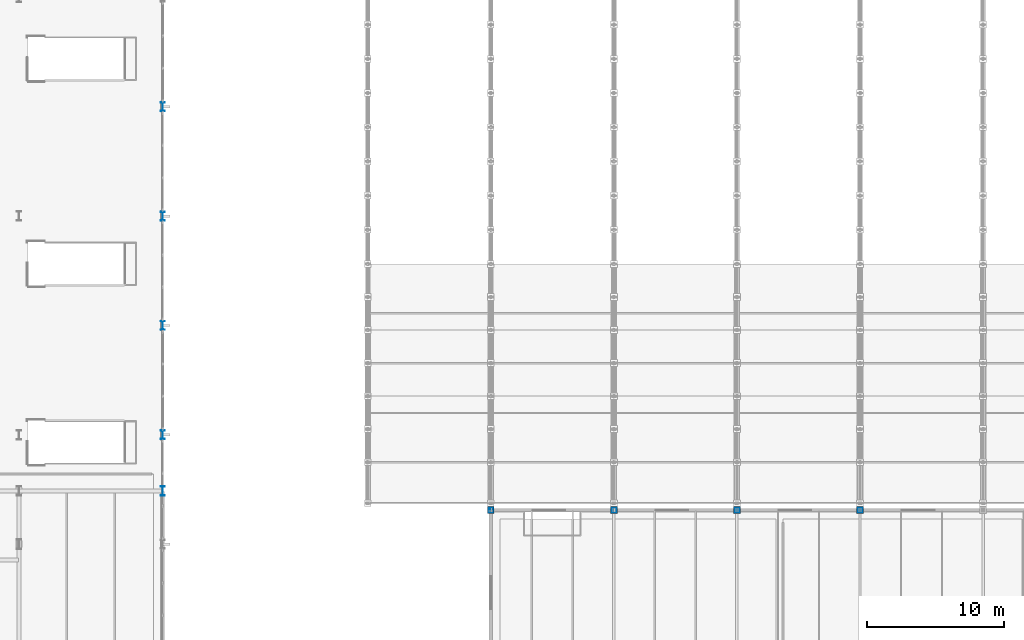
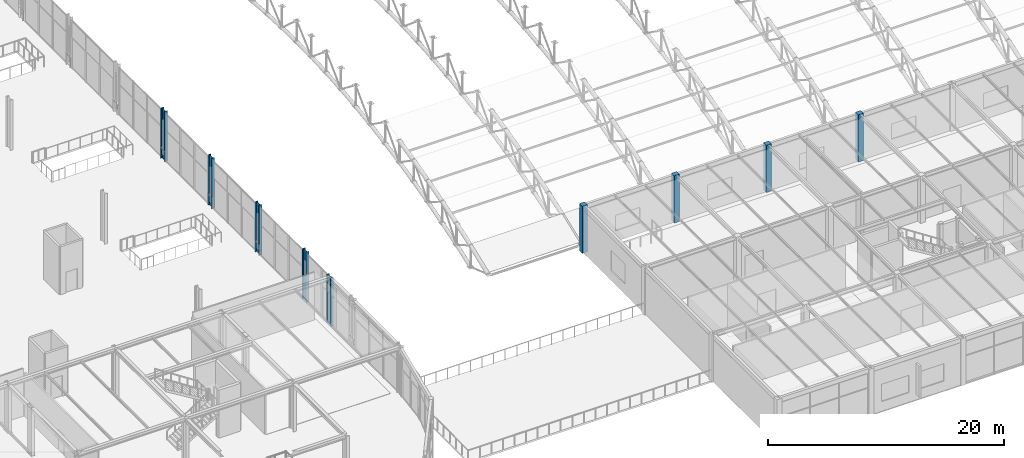
# One storey, part 10 of 195: 9 columns.
"""IFC4 building model written with IfcOpenShell, lengths in metres."""

from ifc_helpers import new_model, si_unit, direction, frame, origin, origin_2d, place, context, subcontext, project, spatial, rectangle, i_section, extrude, material, material_profile, profile_set, type_object, element, save


model = new_model("IFC4")

# Units and contexts
model_context = context("Model", 3, precision=1e-05, world=origin(), true_north=direction((0.0, 1.0)))
body_context = subcontext(model_context, "Body", "Model", "MODEL_VIEW")
ifc_project = project(units=[si_unit("LENGTHUNIT", "METRE"), si_unit("AREAUNIT", "SQUARE_METRE"), si_unit("VOLUMEUNIT", "CUBIC_METRE"), si_unit("PLANEANGLEUNIT", "RADIAN"), si_unit("MASSUNIT", "GRAM", prefix="KILO")], contexts=[model_context])

# Site, building, storey
site_placement = place(None, origin())
site = spatial("IfcSite", under=ifc_project, at=site_placement, CompositionType="ELEMENT")
building_placement = place(site_placement, origin())
building = spatial("IfcBuilding", under=site, at=building_placement, Name="Marlcrest Central Station", CompositionType="ELEMENT")
storey_placement = place(building_placement, frame((0.0, 0.0, 9.800048828125)))
storey = spatial("IfcBuildingStorey", under=building, at=storey_placement, Name="L02", CompositionType="ELEMENT", Elevation=9.800048828125)

# Columns
ifc_material_1 = material(Name="Concrete C40/50", Category="concrete")
ifc_material_profile_1 = material_profile(ifc_material_1, rectangle(XDim=0.5, YDim=0.5, at=origin_2d()), Name="RC 500x500")
ifc_profile_set_1 = profile_set([ifc_material_profile_1], Name="Concrete C40/50")
column_type_1 = type_object("IfcColumnType", Name="RC-02", PredefinedType="COLUMN", material=ifc_profile_set_1)
for number, where, z_axis, x_axis, name in (
    (1, (153.0, 33.0, 0.0), (0.0, 0.0, 1.0), (1.0, 0.0, 0.0), "col-RC-02-L02-0337"),
    (2, (162.0, 33.0, 0.0), (0.0, 0.0, 1.0), (1.0, 0.0, 0.0), "col-RC-02-L02-0341"),
    (3, (171.0, 33.0, 0.0), (0.0, 0.0, 1.0), (1.0, 0.0, 0.0), "col-RC-02-L02-0345"),
    (4, (180.0, 33.0, 0.0), (0.0, 0.0, 1.0), (1.0, 0.0, 0.0), "col-RC-02-L02-0349"),
):
    element("IfcColumn", number, at=place(storey_placement, frame(where, z_axis=z_axis, x_axis=x_axis)), inside=storey, type_object=column_type_1, Name=name, PredefinedType="COLUMN", context=body_context, shape_type="SweptSolid", body=[
        extrude(rectangle(XDim=0.5, YDim=0.5, at=origin_2d()), origin(), (0.0, 0.0, 1.0), 4.869873046875),
    ])
ifc_material_2 = material(Name="Steel S355", Category="steel")
ifc_material_profile_2 = material_profile(ifc_material_2, i_section(OverallWidth=0.300048828125, OverallDepth=0.64990234375, WebThickness=0.01611328125, FlangeThickness=0.031005859375, FilletRadius=0.027099609375, at=origin_2d()), Name="HEB 650")
ifc_profile_set_2 = profile_set([ifc_material_profile_2], Name="Steel S355")
column_type_2 = type_object("IfcColumnType", Name="SC-06", PredefinedType="COLUMN", material=ifc_profile_set_2)
for number, where, z_axis, x_axis, name in (
    (5, (129.0, 38.5, 0.0), (0.0, 0.0, 1.0), (1.0, 0.0, 0.0), "col-SC-06-L02-0709"),
    (6, (129.0, 46.5, 0.0), (0.0, 0.0, 1.0), (1.0, 0.0, 0.0), "col-SC-06-L02-0713"),
    (7, (129.0, 54.5, 0.0), (0.0, 0.0, 1.0), (1.0, 0.0, 0.0), "col-SC-06-L02-0721"),
    (8, (129.0, 62.5, 0.0), (0.0, 0.0, 1.0), (1.0, 0.0, 0.0), "col-SC-06-L02-0725"),
):
    element("IfcColumn", number, at=place(storey_placement, frame(where, z_axis=z_axis, x_axis=x_axis)), inside=storey, type_object=column_type_2, Name=name, PredefinedType="COLUMN", context=body_context, shape_type="SweptSolid", body=[
        extrude(i_section(OverallWidth=0.300048828125, OverallDepth=0.64990234375, WebThickness=0.01611328125, FlangeThickness=0.031005859375, FilletRadius=0.027099609375, at=origin_2d()), origin(), (0.0, 0.0, 1.0), 5.199951171875),
    ])
ifc_material_profile_3 = material_profile(ifc_material_2, i_section(OverallWidth=0.300048828125, OverallDepth=0.699951171875, WebThickness=0.01708984375, FlangeThickness=0.031982421875, FilletRadius=0.027099609375, at=origin_2d()), Name="HEB 700")
ifc_profile_set_3 = profile_set([ifc_material_profile_3], Name="Steel S355")
column_type_3 = type_object("IfcColumnType", Name="SC-07", PredefinedType="COLUMN", material=ifc_profile_set_3)
column_placement = place(storey_placement, frame((129.0, 34.39990234375, 0.0), z_axis=(0.0, 0.0, 1.0), x_axis=(1.0, 0.0, 0.0)))
element("IfcColumn", 9, at=column_placement, inside=storey, type_object=column_type_3, Name="col-SC-07-L02-0842", PredefinedType="COLUMN", context=body_context, shape_type="SweptSolid", body=[
    extrude(i_section(OverallWidth=0.300048828125, OverallDepth=0.699951171875, WebThickness=0.01708984375, FlangeThickness=0.031982421875, FilletRadius=0.027099609375, at=origin_2d()), origin(), (0.0, 0.0, 1.0), 4.994873046875),
])

save(model, "model.ifc")
